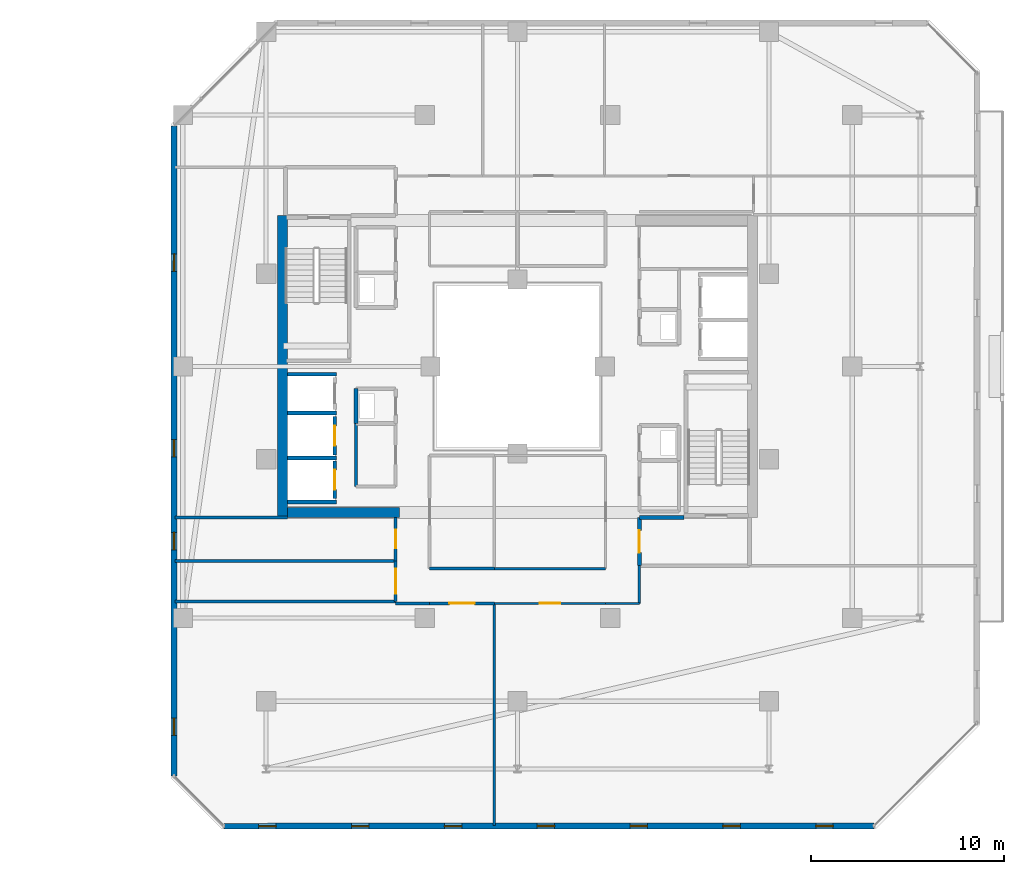
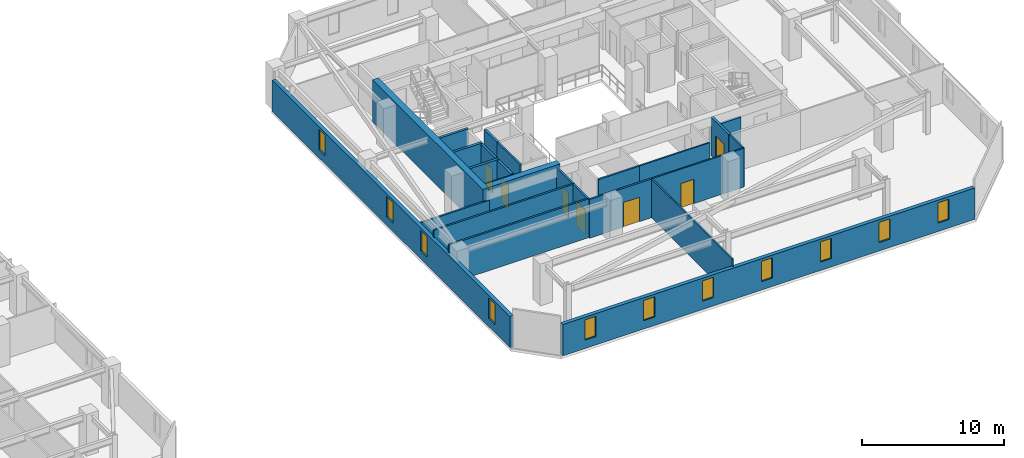
# One storey, part 22 of 32: 27 walls, 11 windows, 7 doors, 18 openings.
"""IFC4 building model written with IfcOpenShell, lengths in metres."""

from ifc_helpers import new_model, si_unit, direction, frame, frame_2d, origin, place, context, subcontext, project, spatial, rectangle, extrude, material, layer, layer_set, type_object, element, fill, save


model = new_model("IFC4")

# Units and contexts
model_context = context("Model", 3, precision=1e-05, world=origin(), true_north=direction((0.0, 1.0)))
body_context = subcontext(model_context, "Body", "Model", "MODEL_VIEW")
ifc_project = project(units=[si_unit("LENGTHUNIT", "METRE"), si_unit("AREAUNIT", "SQUARE_METRE"), si_unit("VOLUMEUNIT", "CUBIC_METRE"), si_unit("PLANEANGLEUNIT", "RADIAN"), si_unit("MASSUNIT", "GRAM", prefix="KILO")], contexts=[model_context])

# Site, building, storey
site_placement = place(None, origin())
site = spatial("IfcSite", under=ifc_project, at=site_placement, CompositionType="ELEMENT")
building_placement = place(site_placement, origin())
building = spatial("IfcBuilding", under=site, at=building_placement, Name="Thornwick Lancets Civic Towers", CompositionType="ELEMENT")
storey_placement = place(building_placement, frame((0.0, 0.0, 240.300048828125)))
storey = spatial("IfcBuildingStorey", under=building, at=storey_placement, Name="L64", CompositionType="ELEMENT", Elevation=240.300048828125)

# Wall, opening, door
ifc_material_1 = material(Name="Concrete blockwork C40/50", Category="masonry")
ifc_layer_1 = layer(ifc_material_1, 0.199951171875, Name="Concrete blockwork C40/50")
ifc_layer_set_1 = layer_set([ifc_layer_1], Name="Concrete blockwork C40/50")
wall_type_1 = type_object("IfcWallType", Name="WALL_COMP_200", PredefinedType="STANDARD", material=ifc_layer_set_1)
wall_1_placement = place(storey_placement, frame((79.050048828125, 22.429931640625, 0.0), z_axis=(0.0, 0.0, 1.0), x_axis=(0.0, 1.0, 0.0)))
wall_1 = element("IfcWall", 1, at=wall_1_placement, inside=storey, type_object=wall_type_1, Name="L64 Hoistway Front Wall PL-BH2", PredefinedType="STANDARD", context=body_context, shape_type="SweptSolid", body=[
    extrude(rectangle(XDim=1.989990234375, YDim=0.199951171875, at=frame_2d((0.9951171875, 0.0))), origin(), (0.0, 0.0, 1.0), 3.33984375),
])
opening_1_placement = place(wall_1_placement, frame((0.485107421875, 0.0, 0.0)))
opening_1 = element("IfcOpeningElement", 2, at=opening_1_placement, cuts=wall_1, Name="Opening LD-PL-BH2", PredefinedType="OPENING", context=body_context, shape_type="SweptSolid", body=[
    extrude(rectangle(XDim=1.02001953125, YDim=2.06005859375, at=frame_2d((0.510009765625, 1.030029296875))), frame((0.0, 0.10986328125, 0.0), z_axis=(0.0, -1.0, 0.0), x_axis=(1.0, 0.0, 0.0)), (0.0, 0.0, 1.0), 0.219970703125),
])
ifc_material_2 = material(Name="Brushed bronze stainless steel", Category="steel")
door_type_1 = type_object("IfcDoorType", Name="DOOR_LIFT_SLIDE", OperationType="SLIDING_TO_LEFT", PredefinedType="DOOR", material=ifc_material_2)
door_1_placement = place(opening_1_placement, origin())
door_1 = element("IfcDoor", 3, at=door_1_placement, inside=storey, type_object=door_type_1, Name="L64 Sliding Lift Landing Door LD-PL-BH2", OperationType="SLIDING_TO_LEFT", OverallHeight=2.06005859375, OverallWidth=1.02001953125, PredefinedType="DOOR", context=body_context, shape_type="SweptSolid", body=[
    extrude(rectangle(XDim=1.02001953125, YDim=2.06005859375, at=frame_2d((0.510009765625, 1.030029296875))), frame((0.0, 0.02490234375, 0.0), z_axis=(0.0, -1.0, 0.0), x_axis=(1.0, 0.0, 0.0)), (0.0, 0.0, 1.0), 0.050048828125),
])
fill(opening_1, door_1)

wall_2_placement = place(storey_placement, frame((79.050048828125, 20.179931640625, 0.0), z_axis=(0.0, 0.0, 1.0), x_axis=(0.0, 1.0, 0.0)))
wall_2 = element("IfcWall", 4, at=wall_2_placement, inside=storey, type_object=wall_type_1, Name="L64 Hoistway Front Wall PL-BH3", PredefinedType="STANDARD", context=body_context, shape_type="SweptSolid", body=[
    extrude(rectangle(XDim=1.940185546875, YDim=0.199951171875, at=frame_2d((0.97021484375, 0.0))), origin(), (0.0, 0.0, 1.0), 3.33984375),
])
opening_2_placement = place(wall_2_placement, frame((0.4599609375, 0.0, 0.0)))
opening_2 = element("IfcOpeningElement", 5, at=opening_2_placement, cuts=wall_2, Name="Opening LD-PL-BH3", PredefinedType="OPENING", context=body_context, shape_type="SweptSolid", body=[
    extrude(rectangle(XDim=1.02001953125, YDim=2.06005859375, at=frame_2d((0.510009765625, 1.030029296875))), frame((0.0, 0.10986328125, 0.0), z_axis=(0.0, -1.0, 0.0), x_axis=(1.0, 0.0, 0.0)), (0.0, 0.0, 1.0), 0.219970703125),
])
door_2_placement = place(opening_2_placement, origin())
door_2 = element("IfcDoor", 6, at=door_2_placement, inside=storey, type_object=door_type_1, Name="L64 Sliding Lift Landing Door LD-PL-BH3", OperationType="SLIDING_TO_LEFT", OverallHeight=2.06005859375, OverallWidth=1.02001953125, PredefinedType="DOOR", context=body_context, shape_type="SweptSolid", body=[
    extrude(rectangle(XDim=1.02001953125, YDim=2.06005859375, at=frame_2d((0.510009765625, 1.030029296875))), frame((0.0, 0.02490234375, 0.0), z_axis=(0.0, -1.0, 0.0), x_axis=(1.0, 0.0, 0.0)), (0.0, 0.0, 1.0), 0.050048828125),
])
fill(opening_2, door_2)

# Walls
for number, where, z_axis, x_axis, name in (
    (7, (76.612060546875, 26.60009765625, 0.0), (0.0, 0.0, 1.0), (1.0, 0.0, 0.0), "L64 Hoistway Shaft Wall FL-B2 N"),
    (8, (76.612060546875, 24.60009765625, 0.0), (0.0, 0.0, 1.0), (1.0, 0.0, 0.0), "L64 Hoistway Shaft Wall FL-B2 S"),
    (9, (76.612060546875, 22.27490234375, 0.0), (0.0, 0.0, 1.0), (1.0, 0.0, 0.0), "L64 Hoistway Shaft Wall PL-BH2 S"),
    (10, (76.612060546875, 20.0, 0.0), (0.0, 0.0, 1.0), (1.0, 0.0, 0.0), "L64 Hoistway Shaft Wall PL-BH3 S"),
):
    element("IfcWall", number, at=place(storey_placement, frame(where, z_axis=z_axis, x_axis=x_axis)), inside=storey, type_object=wall_type_1, Name=name, PredefinedType="STANDARD", context=body_context, shape_type="SweptSolid", body=[
        extrude(rectangle(XDim=2.535888671875, YDim=0.199951171875, at=frame_2d((1.26806640625, 0.0))), origin(), (0.0, 0.0, 1.0), 3.33984375),
    ])
wall_3_placement = place(storey_placement, frame((97.10009765625, 19.199951171875, 0.0), z_axis=(0.0, 0.0, 1.0), x_axis=(-1.0, 0.0, 0.0)))
element("IfcWall", 11, at=wall_3_placement, inside=storey, type_object=wall_type_1, Name="L64 Partition L64-B-FFLOB1 E3", PredefinedType="STANDARD", context=body_context, shape_type="SweptSolid", body=[
    extrude(rectangle(XDim=2.300048828125, YDim=0.199951171875, at=frame_2d((1.14990234375, 0.0))), origin(), (0.0, 0.0, 1.0), 2.544921875),
])

# Wall, opening, door
wall_4_placement = place(storey_placement, frame((94.800048828125, 19.199951171875, 0.0), z_axis=(0.0, 0.0, 1.0), x_axis=(0.0, -1.0, 0.0)))
wall_4 = element("IfcWall", 12, at=wall_4_placement, inside=storey, type_object=wall_type_1, Name="L64 Partition L64-B-FFLOB1 E4", PredefinedType="STANDARD", context=body_context, shape_type="SweptSolid", body=[
    extrude(rectangle(XDim=2.5, YDim=0.199951171875, at=frame_2d((1.25, 0.0))), origin(), (0.0, 0.0, 1.0), 3.33984375),
])
opening_3_placement = place(wall_4_placement, frame((0.675048828125, 0.0, 0.0)))
opening_3 = element("IfcOpeningElement", 13, at=opening_3_placement, cuts=wall_4, Name="Opening D-L64-2884", PredefinedType="OPENING", context=body_context, shape_type="SweptSolid", body=[
    extrude(rectangle(XDim=1.14990234375, YDim=2.10009765625, at=frame_2d((0.574951171875, 1.050048828125))), frame((0.0, 0.10986328125, 0.0), z_axis=(0.0, -1.0, 0.0), x_axis=(1.0, 0.0, 0.0)), (0.0, 0.0, 1.0), 0.219970703125),
])
ifc_material_3 = material(Name="Glazed fire-resisting steel", Category="steel")
door_type_2 = type_object("IfcDoorType", Name="DOOR_LOBBY_FD60", OperationType="NOTDEFINED", PredefinedType="DOOR", material=ifc_material_3)
door_3_placement = place(opening_3_placement, origin())
door_3 = element("IfcDoor", 14, at=door_3_placement, inside=storey, type_object=door_type_2, Name="L64 East Firefighting Lobby 1 Door", OperationType="SINGLE_SWING_LEFT", OverallHeight=2.10009765625, OverallWidth=1.14990234375, PredefinedType="DOOR", context=body_context, shape_type="SweptSolid", body=[
    extrude(rectangle(XDim=1.14990234375, YDim=2.10009765625, at=frame_2d((0.574951171875, 1.050048828125))), frame((0.0, 0.02490234375, 0.0), z_axis=(0.0, -1.0, 0.0), x_axis=(1.0, 0.0, 0.0)), (0.0, 0.0, 1.0), 0.050048828125),
])
fill(opening_3, door_3)

# Walls
wall_5_placement = place(storey_placement, frame((80.14990234375, 25.85009765625, 0.0), z_axis=(0.0, 0.0, 1.0), x_axis=(0.0, -1.0, 0.0)))
element("IfcWall", 15, at=wall_5_placement, inside=storey, type_object=wall_type_1, Name="L64 Partition L64-B-DUCT2 E4", PredefinedType="STANDARD", context=body_context, shape_type="SweptSolid", body=[
    extrude(rectangle(XDim=1.800048828125, YDim=0.199951171875, at=frame_2d((0.89990234375, 0.0))), origin(), (0.0, 0.0, 1.0), 3.33984375),
])
ifc_material_4 = material(Name="Concrete C50/60", Category="concrete")
ifc_layer_2 = layer(ifc_material_4, 0.5, Name="Concrete C50/60")
ifc_layer_set_2 = layer_set([ifc_layer_2], Name="Concrete C50/60")
wall_type_2 = type_object("IfcWallType", Name="WALL_CORE_500", PredefinedType="SHEAR", material=ifc_layer_set_2)
wall_6_placement = place(storey_placement, frame((76.35009765625, 19.199951171875, 0.0), z_axis=(0.0, 0.0, 1.0), x_axis=(0.0, 1.0, 0.0)))
element("IfcWall", 16, at=wall_6_placement, inside=storey, type_object=wall_type_2, Name="L64 Split Core B2 Shear Wall W", PredefinedType="SHEAR", context=body_context, shape_type="SweptSolid", body=[
    extrude(rectangle(XDim=15.60009765625, YDim=0.5, at=frame_2d((7.800048828125, 0.0))), origin(), (0.0, 0.0, 1.0), 3.599853515625),
])
wall_7_placement = place(storey_placement, frame((76.60009765625, 19.449951171875, 0.0), z_axis=(0.0, 0.0, 1.0), x_axis=(1.0, 0.0, 0.0)))
element("IfcWall", 17, at=wall_7_placement, inside=storey, type_object=wall_type_2, Name="L64 Split Core B2 Shear Wall S", PredefinedType="SHEAR", context=body_context, shape_type="SweptSolid", body=[
    extrude(rectangle(XDim=5.7998046875, YDim=0.5, at=frame_2d((2.89990234375, 0.0))), origin(), (0.0, 0.0, 1.0), 3.599853515625),
])

# Wall, openings, windows
ifc_material_5 = material(Name="Insulated russet terracotta rainscreen on concrete C40/50", Category="masonry")
ifc_layer_3 = layer(ifc_material_5, 0.300048828125, Name="Insulated russet terracotta rainscreen on concrete C40/50")
ifc_layer_set_3 = layer_set([ifc_layer_3], Name="Insulated russet terracotta rainscreen on concrete C40/50")
wall_type_3 = type_object("IfcWallType", Name="WALL_EXT_RUSSET_300", PredefinedType="STANDARD", material=ifc_layer_set_3)
wall_8_placement = place(storey_placement, frame((73.318603515625, 3.2353515625, 0.0), z_axis=(0.0, 0.0, 1.0), x_axis=(0.999999963872, 0.000268805477, 0.0)))
wall_8 = element("IfcWall", 18, at=wall_8_placement, inside=storey, type_object=wall_type_3, Name="L64 Tower B Terracotta Facade Wall E0", PredefinedType="STANDARD", context=body_context, shape_type="SweptSolid", body=[
    extrude(rectangle(XDim=33.60498046875, YDim=0.300048828125, at=frame_2d((16.802490234375, 0.0))), origin(), (0.0, 0.0, 1.0), 2.699951171875),
])
opening_4_placement = place(wall_8_placement, frame((1.800048828125, 0.0, 0.719970703125)))
opening_4 = element("IfcOpeningElement", 19, at=opening_4_placement, cuts=wall_8, Name="Opening WL-01", PredefinedType="OPENING", context=body_context, shape_type="SweptSolid", body=[
    extrude(rectangle(XDim=0.89990234375, YDim=1.75, at=frame_2d((0.449951171875, 0.875))), frame((0.0, 0.16015625, 0.0), z_axis=(0.0, -1.0, 0.0), x_axis=(1.0, 0.0, 0.0)), (0.0, 0.0, 1.0), 0.320068359375),
])
opening_5_placement = place(wall_8_placement, frame((6.60009765625, 0.0, 0.719970703125)))
opening_5 = element("IfcOpeningElement", 20, at=opening_5_placement, cuts=wall_8, Name="Opening WL-01", PredefinedType="OPENING", context=body_context, shape_type="SweptSolid", body=[
    extrude(rectangle(XDim=0.89990234375, YDim=1.75, at=frame_2d((0.449951171875, 0.875))), frame((0.0, 0.16015625, 0.0), z_axis=(0.0, -1.0, 0.0), x_axis=(1.0, 0.0, 0.0)), (0.0, 0.0, 1.0), 0.320068359375),
])
opening_6_placement = place(wall_8_placement, frame((11.39990234375, 0.0, 0.719970703125)))
opening_6 = element("IfcOpeningElement", 21, at=opening_6_placement, cuts=wall_8, Name="Opening WL-01", PredefinedType="OPENING", context=body_context, shape_type="SweptSolid", body=[
    extrude(rectangle(XDim=0.89990234375, YDim=1.75, at=frame_2d((0.449951171875, 0.875))), frame((0.0, 0.16015625, 0.0), z_axis=(0.0, -1.0, 0.0), x_axis=(1.0, 0.0, 0.0)), (0.0, 0.0, 1.0), 0.320068359375),
])
opening_7_placement = place(wall_8_placement, frame((16.199951171875, 0.0, 0.719970703125)))
opening_7 = element("IfcOpeningElement", 22, at=opening_7_placement, cuts=wall_8, Name="Opening WL-01", PredefinedType="OPENING", context=body_context, shape_type="SweptSolid", body=[
    extrude(rectangle(XDim=0.89990234375, YDim=1.75, at=frame_2d((0.449951171875, 0.875))), frame((0.0, 0.16015625, 0.0), z_axis=(0.0, -1.0, 0.0), x_axis=(1.0, 0.0, 0.0)), (0.0, 0.0, 1.0), 0.320068359375),
])
opening_8_placement = place(wall_8_placement, frame((21.0, 0.0, 0.719970703125)))
opening_8 = element("IfcOpeningElement", 23, at=opening_8_placement, cuts=wall_8, Name="Opening WL-01", PredefinedType="OPENING", context=body_context, shape_type="SweptSolid", body=[
    extrude(rectangle(XDim=0.89990234375, YDim=1.75, at=frame_2d((0.449951171875, 0.875))), frame((0.0, 0.16015625, 0.0), z_axis=(0.0, -1.0, 0.0), x_axis=(1.0, 0.0, 0.0)), (0.0, 0.0, 1.0), 0.320068359375),
])
opening_9_placement = place(wall_8_placement, frame((25.800048828125, 0.0, 0.719970703125)))
opening_9 = element("IfcOpeningElement", 24, at=opening_9_placement, cuts=wall_8, Name="Opening WL-01", PredefinedType="OPENING", context=body_context, shape_type="SweptSolid", body=[
    extrude(rectangle(XDim=0.89990234375, YDim=1.75, at=frame_2d((0.449951171875, 0.875))), frame((0.0, 0.16015625, 0.0), z_axis=(0.0, -1.0, 0.0), x_axis=(1.0, 0.0, 0.0)), (0.0, 0.0, 1.0), 0.320068359375),
])
opening_10_placement = place(wall_8_placement, frame((30.60009765625, 0.0, 0.719970703125)))
opening_10 = element("IfcOpeningElement", 25, at=opening_10_placement, cuts=wall_8, Name="Opening WL-01", PredefinedType="OPENING", context=body_context, shape_type="SweptSolid", body=[
    extrude(rectangle(XDim=0.89990234375, YDim=1.75, at=frame_2d((0.449951171875, 0.875))), frame((0.0, 0.16015625, 0.0), z_axis=(0.0, -1.0, 0.0), x_axis=(1.0, 0.0, 0.0)), (0.0, 0.0, 1.0), 0.320068359375),
])
ifc_material_6 = material(Name="Clear low-e double glazing in bronze frame", Category="glass")
window_type = type_object("IfcWindowType", Name="WIN_LANCET_900", PartitioningType="SINGLE_PANEL", PredefinedType="WINDOW", material=ifc_material_6)
window_1_placement = place(opening_4_placement, origin())
window_1 = element("IfcWindow", 26, at=window_1_placement, inside=storey, type_object=window_type, Name="L64 Tower B Staggered Lancet Window E0-1", OverallHeight=1.75, OverallWidth=0.89990234375, PartitioningType="SINGLE_PANEL", PredefinedType="WINDOW", context=body_context, shape_type="SweptSolid", body=[
    extrude(rectangle(XDim=0.89990234375, YDim=1.75, at=frame_2d((0.449951171875, 0.875))), frame((0.0, 0.030029296875, 0.0), z_axis=(0.0, -1.0, 0.0), x_axis=(1.0, 0.0, 0.0)), (0.0, 0.0, 1.0), 0.06005859375),
])
fill(opening_4, window_1)
window_2_placement = place(opening_5_placement, origin())
window_2 = element("IfcWindow", 27, at=window_2_placement, inside=storey, type_object=window_type, Name="L64 Tower B Staggered Lancet Window E0-2", OverallHeight=1.75, OverallWidth=0.89990234375, PartitioningType="SINGLE_PANEL", PredefinedType="WINDOW", context=body_context, shape_type="SweptSolid", body=[
    extrude(rectangle(XDim=0.89990234375, YDim=1.75, at=frame_2d((0.449951171875, 0.875))), frame((0.0, 0.030029296875, 0.0), z_axis=(0.0, -1.0, 0.0), x_axis=(1.0, 0.0, 0.0)), (0.0, 0.0, 1.0), 0.06005859375),
])
fill(opening_5, window_2)
window_3_placement = place(opening_6_placement, origin())
window_3 = element("IfcWindow", 28, at=window_3_placement, inside=storey, type_object=window_type, Name="L64 Tower B Staggered Lancet Window E0-3", OverallHeight=1.75, OverallWidth=0.89990234375, PartitioningType="SINGLE_PANEL", PredefinedType="WINDOW", context=body_context, shape_type="SweptSolid", body=[
    extrude(rectangle(XDim=0.89990234375, YDim=1.75, at=frame_2d((0.449951171875, 0.875))), frame((0.0, 0.030029296875, 0.0), z_axis=(0.0, -1.0, 0.0), x_axis=(1.0, 0.0, 0.0)), (0.0, 0.0, 1.0), 0.06005859375),
])
fill(opening_6, window_3)
window_4_placement = place(opening_7_placement, origin())
window_4 = element("IfcWindow", 29, at=window_4_placement, inside=storey, type_object=window_type, Name="L64 Tower B Staggered Lancet Window E0-4", OverallHeight=1.75, OverallWidth=0.89990234375, PartitioningType="SINGLE_PANEL", PredefinedType="WINDOW", context=body_context, shape_type="SweptSolid", body=[
    extrude(rectangle(XDim=0.89990234375, YDim=1.75, at=frame_2d((0.449951171875, 0.875))), frame((0.0, 0.030029296875, 0.0), z_axis=(0.0, -1.0, 0.0), x_axis=(1.0, 0.0, 0.0)), (0.0, 0.0, 1.0), 0.06005859375),
])
fill(opening_7, window_4)
window_5_placement = place(opening_8_placement, origin())
window_5 = element("IfcWindow", 30, at=window_5_placement, inside=storey, type_object=window_type, Name="L64 Tower B Staggered Lancet Window E0-5", OverallHeight=1.75, OverallWidth=0.89990234375, PartitioningType="SINGLE_PANEL", PredefinedType="WINDOW", context=body_context, shape_type="SweptSolid", body=[
    extrude(rectangle(XDim=0.89990234375, YDim=1.75, at=frame_2d((0.449951171875, 0.875))), frame((0.0, 0.030029296875, 0.0), z_axis=(0.0, -1.0, 0.0), x_axis=(1.0, 0.0, 0.0)), (0.0, 0.0, 1.0), 0.06005859375),
])
fill(opening_8, window_5)
window_6_placement = place(opening_9_placement, origin())
window_6 = element("IfcWindow", 31, at=window_6_placement, inside=storey, type_object=window_type, Name="L64 Tower B Staggered Lancet Window E0-6", OverallHeight=1.75, OverallWidth=0.89990234375, PartitioningType="SINGLE_PANEL", PredefinedType="WINDOW", context=body_context, shape_type="SweptSolid", body=[
    extrude(rectangle(XDim=0.89990234375, YDim=1.75, at=frame_2d((0.449951171875, 0.875))), frame((0.0, 0.030029296875, 0.0), z_axis=(0.0, -1.0, 0.0), x_axis=(1.0, 0.0, 0.0)), (0.0, 0.0, 1.0), 0.06005859375),
])
fill(opening_9, window_6)
window_7_placement = place(opening_10_placement, origin())
window_7 = element("IfcWindow", 32, at=window_7_placement, inside=storey, type_object=window_type, Name="L64 Tower B Staggered Lancet Window E0-7", OverallHeight=1.75, OverallWidth=0.89990234375, PartitioningType="SINGLE_PANEL", PredefinedType="WINDOW", context=body_context, shape_type="SweptSolid", body=[
    extrude(rectangle(XDim=0.89990234375, YDim=1.75, at=frame_2d((0.449951171875, 0.875))), frame((0.0, 0.030029296875, 0.0), z_axis=(0.0, -1.0, 0.0), x_axis=(1.0, 0.0, 0.0)), (0.0, 0.0, 1.0), 0.06005859375),
])
fill(opening_10, window_7)

wall_9_placement = place(storey_placement, frame((70.744384765625, 39.423583984375, 0.0), z_axis=(0.0, 0.0, 1.0), x_axis=(-0.000268805477, -0.999999963872, 0.0)))
wall_9 = element("IfcWall", 33, at=wall_9_placement, inside=storey, type_object=wall_type_3, Name="L64 Tower B Terracotta Facade Wall E6", PredefinedType="STANDARD", context=body_context, shape_type="SweptSolid", body=[
    extrude(rectangle(XDim=33.60498046875, YDim=0.300048828125, at=frame_2d((16.802490234375, 0.0))), origin(), (0.0, 0.0, 1.0), 2.699951171875),
])
opening_11_placement = place(wall_9_placement, frame((6.60009765625, 0.0, 0.719970703125)))
opening_11 = element("IfcOpeningElement", 34, at=opening_11_placement, cuts=wall_9, Name="Opening WL-01", PredefinedType="OPENING", context=body_context, shape_type="SweptSolid", body=[
    extrude(rectangle(XDim=0.89990234375, YDim=1.75, at=frame_2d((0.449951171875, 0.875))), frame((0.0, 0.16015625, 0.0), z_axis=(0.0, -1.0, 0.0), x_axis=(1.0, 0.0, 0.0)), (0.0, 0.0, 1.0), 0.320068359375),
])
opening_12_placement = place(wall_9_placement, frame((16.199951171875, 0.0, 0.719970703125)))
opening_12 = element("IfcOpeningElement", 35, at=opening_12_placement, cuts=wall_9, Name="Opening WL-01", PredefinedType="OPENING", context=body_context, shape_type="SweptSolid", body=[
    extrude(rectangle(XDim=0.89990234375, YDim=1.75, at=frame_2d((0.449951171875, 0.875))), frame((0.0, 0.16015625, 0.0), z_axis=(0.0, -1.0, 0.0), x_axis=(1.0, 0.0, 0.0)), (0.0, 0.0, 1.0), 0.320068359375),
])
opening_13_placement = place(wall_9_placement, frame((21.0, 0.0, 0.719970703125)))
opening_13 = element("IfcOpeningElement", 36, at=opening_13_placement, cuts=wall_9, Name="Opening WL-01", PredefinedType="OPENING", context=body_context, shape_type="SweptSolid", body=[
    extrude(rectangle(XDim=0.89990234375, YDim=1.75, at=frame_2d((0.449951171875, 0.875))), frame((0.0, 0.16015625, 0.0), z_axis=(0.0, -1.0, 0.0), x_axis=(1.0, 0.0, 0.0)), (0.0, 0.0, 1.0), 0.320068359375),
])
opening_14_placement = place(wall_9_placement, frame((30.60009765625, 0.0, 0.719970703125)))
opening_14 = element("IfcOpeningElement", 37, at=opening_14_placement, cuts=wall_9, Name="Opening WL-01", PredefinedType="OPENING", context=body_context, shape_type="SweptSolid", body=[
    extrude(rectangle(XDim=0.89990234375, YDim=1.75, at=frame_2d((0.449951171875, 0.875))), frame((0.0, 0.16015625, 0.0), z_axis=(0.0, -1.0, 0.0), x_axis=(1.0, 0.0, 0.0)), (0.0, 0.0, 1.0), 0.320068359375),
])
window_8_placement = place(opening_11_placement, origin())
window_8 = element("IfcWindow", 38, at=window_8_placement, inside=storey, type_object=window_type, Name="L64 Tower B Staggered Lancet Window E6-1", OverallHeight=1.75, OverallWidth=0.89990234375, PartitioningType="SINGLE_PANEL", PredefinedType="WINDOW", context=body_context, shape_type="SweptSolid", body=[
    extrude(rectangle(XDim=0.89990234375, YDim=1.75, at=frame_2d((0.449951171875, 0.875))), frame((0.0, 0.030029296875, 0.0), z_axis=(0.0, -1.0, 0.0), x_axis=(1.0, 0.0, 0.0)), (0.0, 0.0, 1.0), 0.06005859375),
])
fill(opening_11, window_8)
window_9_placement = place(opening_12_placement, origin())
window_9 = element("IfcWindow", 39, at=window_9_placement, inside=storey, type_object=window_type, Name="L64 Tower B Staggered Lancet Window E6-2", OverallHeight=1.75, OverallWidth=0.89990234375, PartitioningType="SINGLE_PANEL", PredefinedType="WINDOW", context=body_context, shape_type="SweptSolid", body=[
    extrude(rectangle(XDim=0.89990234375, YDim=1.75, at=frame_2d((0.449951171875, 0.875))), frame((0.0, 0.030029296875, 0.0), z_axis=(0.0, -1.0, 0.0), x_axis=(1.0, 0.0, 0.0)), (0.0, 0.0, 1.0), 0.06005859375),
])
fill(opening_12, window_9)
window_10_placement = place(opening_13_placement, origin())
window_10 = element("IfcWindow", 40, at=window_10_placement, inside=storey, type_object=window_type, Name="L64 Tower B Staggered Lancet Window E6-3", OverallHeight=1.75, OverallWidth=0.89990234375, PartitioningType="SINGLE_PANEL", PredefinedType="WINDOW", context=body_context, shape_type="SweptSolid", body=[
    extrude(rectangle(XDim=0.89990234375, YDim=1.75, at=frame_2d((0.449951171875, 0.875))), frame((0.0, 0.030029296875, 0.0), z_axis=(0.0, -1.0, 0.0), x_axis=(1.0, 0.0, 0.0)), (0.0, 0.0, 1.0), 0.06005859375),
])
fill(opening_13, window_10)
window_11_placement = place(opening_14_placement, origin())
window_11 = element("IfcWindow", 41, at=window_11_placement, inside=storey, type_object=window_type, Name="L64 Tower B Staggered Lancet Window E6-4", OverallHeight=1.75, OverallWidth=0.89990234375, PartitioningType="SINGLE_PANEL", PredefinedType="WINDOW", context=body_context, shape_type="SweptSolid", body=[
    extrude(rectangle(XDim=0.89990234375, YDim=1.75, at=frame_2d((0.449951171875, 0.875))), frame((0.0, 0.030029296875, 0.0), z_axis=(0.0, -1.0, 0.0), x_axis=(1.0, 0.0, 0.0)), (0.0, 0.0, 1.0), 0.06005859375),
])
fill(opening_14, window_11)

# Wall
ifc_material_7 = material(Name="Acoustic gypsum board partition")
ifc_layer_4 = layer(ifc_material_7, 0.1201171875, Name="Acoustic gypsum board partition")
ifc_layer_set_4 = layer_set([ifc_layer_4], Name="Acoustic gypsum board partition")
wall_type_4 = type_object("IfcWallType", Name="WALL_PART_120", PredefinedType="PARTITIONING", material=ifc_layer_set_4)
wall_10_placement = place(storey_placement, frame((87.300048828125, 3.280029296875, 0.0), z_axis=(0.0, 0.0, 1.0), x_axis=(0.0, 1.0, 0.0)))
element("IfcWall", 42, at=wall_10_placement, inside=storey, type_object=wall_type_4, Name="L64 Partition L64-B-W1 E2", PredefinedType="PARTITIONING", context=body_context, shape_type="SweptSolid", body=[
    extrude(rectangle(XDim=11.469970703125, YDim=0.1201171875, at=frame_2d((5.73486328125, 0.0))), origin(), (0.0, 0.0, 1.0), 3.33984375),
])

# Wall, opening, door
wall_11_placement = place(storey_placement, frame((87.300048828125, 14.75, 0.0), z_axis=(0.0, 0.0, 1.0), x_axis=(1.0, 0.0, 0.0)))
wall_11 = element("IfcWall", 43, at=wall_11_placement, inside=storey, type_object=wall_type_4, Name="L64 Partition L64-B-W1 E3", PredefinedType="PARTITIONING", context=body_context, shape_type="SweptSolid", body=[
    extrude(rectangle(XDim=5.75, YDim=0.1201171875, at=frame_2d((2.875, 0.0))), origin(), (0.0, 0.0, 1.0), 3.33984375),
])
opening_15_placement = place(wall_11_placement, frame((2.35009765625, 0.0, 0.0)))
opening_15 = element("IfcOpeningElement", 44, at=opening_15_placement, cuts=wall_11, Name="Opening D-L64-2910", PredefinedType="OPENING", context=body_context, shape_type="SweptSolid", body=[
    extrude(rectangle(XDim=1.050048828125, YDim=2.10009765625, at=frame_2d((0.52490234375, 1.050048828125))), frame((0.0, 0.070068359375, 0.0), z_axis=(0.0, -1.0, 0.0), x_axis=(1.0, 0.0, 0.0)), (0.0, 0.0, 1.0), 0.14013671875),
])
ifc_material_8 = material(Name="Glazed European oak executive doorset")
door_type_3 = type_object("IfcDoorType", Name="DOOR_OFFICE_1050", OperationType="NOTDEFINED", PredefinedType="DOOR", material=ifc_material_8)
door_4_placement = place(opening_15_placement, origin())
door_4 = element("IfcDoor", 45, at=door_4_placement, inside=storey, type_object=door_type_3, Name="L64 Tower B Ministry Directorate Office W1 Door", OperationType="SINGLE_SWING_LEFT", OverallHeight=2.10009765625, OverallWidth=1.050048828125, PredefinedType="DOOR", context=body_context, shape_type="SweptSolid", body=[
    extrude(rectangle(XDim=1.050048828125, YDim=2.10009765625, at=frame_2d((0.52490234375, 1.050048828125))), frame((0.0, 0.02490234375, 0.0), z_axis=(0.0, -1.0, 0.0), x_axis=(1.0, 0.0, 0.0)), (0.0, 0.0, 1.0), 0.050048828125),
])
fill(opening_15, door_4)

# Walls
wall_12_placement = place(storey_placement, frame((93.050048828125, 14.75, 0.0), z_axis=(0.0, 0.0, 1.0), x_axis=(1.0, 0.0, 0.0)))
element("IfcWall", 46, at=wall_12_placement, inside=storey, type_object=wall_type_4, Name="L64 Partition L64-B-W1 E4", PredefinedType="PARTITIONING", context=body_context, shape_type="SweptSolid", body=[
    extrude(rectangle(XDim=1.75, YDim=0.1201171875, at=frame_2d((0.875, 0.0))), origin(), (0.0, 0.0, 1.0), 3.33984375),
])
wall_13_placement = place(storey_placement, frame((94.800048828125, 14.75, 0.0), z_axis=(0.0, 0.0, 1.0), x_axis=(0.0, 1.0, 0.0)))
element("IfcWall", 47, at=wall_13_placement, inside=storey, type_object=wall_type_4, Name="L64 Partition L64-B-W1 E5", PredefinedType="PARTITIONING", context=body_context, shape_type="SweptSolid", body=[
    extrude(rectangle(XDim=1.949951171875, YDim=0.1201171875, at=frame_2d((0.97509765625, 0.0))), origin(), (0.0, 0.0, 1.0), 3.33984375),
])
wall_14_placement = place(storey_placement, frame((93.050048828125, 16.550048828125, 0.0), z_axis=(0.0, 0.0, 1.0), x_axis=(-1.0, 0.0, 0.0)))
element("IfcWall", 48, at=wall_14_placement, inside=storey, type_object=wall_type_4, Name="L64 Partition L64-B-W3 E4", PredefinedType="PARTITIONING", context=body_context, shape_type="SweptSolid", body=[
    extrude(rectangle(XDim=5.75, YDim=0.1201171875, at=frame_2d((2.875, 0.0))), origin(), (0.0, 0.0, 1.0), 3.33984375),
])
ifc_material_9 = material(Name="Twin-stud acoustic gypsum board")
ifc_layer_5 = layer(ifc_material_9, 0.14990234375, Name="Twin-stud acoustic gypsum board")
ifc_layer_set_5 = layer_set([ifc_layer_5], Name="Twin-stud acoustic gypsum board")
wall_type_5 = type_object("IfcWallType", Name="WALL_PART_150", PredefinedType="PARTITIONING", material=ifc_layer_set_5)
wall_15_placement = place(storey_placement, frame((80.14990234375, 20.800048828125, 0.0), z_axis=(0.0, 0.0, 1.0), x_axis=(0.0, 1.0, 0.0)))
element("IfcWall", 49, at=wall_15_placement, inside=storey, type_object=wall_type_5, Name="L64 Partition L64-B-FWC E2", PredefinedType="PARTITIONING", context=body_context, shape_type="SweptSolid", body=[
    extrude(rectangle(XDim=3.25, YDim=0.14990234375, at=frame_2d((1.625, 0.0))), origin(), (0.0, 0.0, 1.0), 3.33984375),
])
for number, where, z_axis, x_axis, name in (
    (50, (82.199951171875, 14.85009765625, 0.0), (0.0, 0.0, 1.0), (-1.0, 0.0, 0.0), "L64 Partition L64-B-RECLAIM-M1 E1"),
    (51, (70.780029296875, 16.949951171875, 0.0), (0.0, 0.0, 1.0), (1.0, 0.0, 0.0), "L64 Partition L64-B-RECLAIM-M1 E3"),
):
    element("IfcWall", number, at=place(storey_placement, frame(where, z_axis=z_axis, x_axis=x_axis)), inside=storey, type_object=wall_type_5, Name=name, PredefinedType="PARTITIONING", context=body_context, shape_type="SweptSolid", body=[
        extrude(rectangle(XDim=11.419921875, YDim=0.14990234375, at=frame_2d((5.7099609375, 0.0))), origin(), (0.0, 0.0, 1.0), 3.33984375),
    ])

# Wall, opening, door
wall_16_placement = place(storey_placement, frame((82.199951171875, 16.949951171875, 0.0), z_axis=(0.0, 0.0, 1.0), x_axis=(0.0, -1.0, 0.0)))
wall_16 = element("IfcWall", 52, at=wall_16_placement, inside=storey, type_object=wall_type_5, Name="L64 Partition L64-B-RECLAIM-M1 E4", PredefinedType="PARTITIONING", context=body_context, shape_type="SweptSolid", body=[
    extrude(rectangle(XDim=2.099853515625, YDim=0.14990234375, at=frame_2d((1.0498046875, 0.0))), origin(), (0.0, 0.0, 1.0), 3.33984375),
])
opening_16_placement = place(wall_16_placement, frame((0.39990234375, 0.0, 0.0)))
opening_16 = element("IfcOpeningElement", 53, at=opening_16_placement, cuts=wall_16, Name="Opening D-L64-2908", PredefinedType="OPENING", context=body_context, shape_type="SweptSolid", body=[
    extrude(rectangle(XDim=1.300048828125, YDim=2.1201171875, at=frame_2d((0.64990234375, 1.06005859375))), frame((0.0, 0.0849609375, 0.0), z_axis=(0.0, -1.0, 0.0), x_axis=(1.0, 0.0, 0.0)), (0.0, 0.0, 1.0), 0.169921875),
])
ifc_material_10 = material(Name="Acoustic oak leaf-and-a-half doorset")
door_type_4 = type_object("IfcDoorType", Name="DOOR_MEET_1300", OperationType="DOUBLE_DOOR_SINGLE_SWING", PredefinedType="DOOR", material=ifc_material_10)
door_5_placement = place(opening_16_placement, origin())
door_5 = element("IfcDoor", 54, at=door_5_placement, inside=storey, type_object=door_type_4, Name="L64 Tower B Diplomatic Conference Room Door", OperationType="DOUBLE_DOOR_SINGLE_SWING", OverallHeight=2.1201171875, OverallWidth=1.300048828125, PredefinedType="DOOR", context=body_context, shape_type="SweptSolid", body=[
    extrude(rectangle(XDim=1.300048828125, YDim=2.1201171875, at=frame_2d((0.64990234375, 1.06005859375))), frame((0.0, 0.02490234375, 0.0), z_axis=(0.0, -1.0, 0.0), x_axis=(1.0, 0.0, 0.0)), (0.0, 0.0, 1.0), 0.050048828125),
])
fill(opening_16, door_5)

# Wall
wall_17_placement = place(storey_placement, frame((70.780029296875, 19.199951171875, 0.0), z_axis=(0.0, 0.0, 1.0), x_axis=(1.0, 0.0, 0.0)))
element("IfcWall", 55, at=wall_17_placement, inside=storey, type_object=wall_type_5, Name="L64 Partition L64-B-RECLAIM-M2 E3", PredefinedType="PARTITIONING", context=body_context, shape_type="SweptSolid", body=[
    extrude(rectangle(XDim=5.820068359375, YDim=0.14990234375, at=frame_2d((2.91015625, 0.0))), origin(), (0.0, 0.0, 1.0), 2.544921875),
])

# Wall, opening, door
wall_18_placement = place(storey_placement, frame((82.199951171875, 19.199951171875, 0.0), z_axis=(0.0, 0.0, 1.0), x_axis=(0.0, -1.0, 0.0)))
wall_18 = element("IfcWall", 56, at=wall_18_placement, inside=storey, type_object=wall_type_5, Name="L64 Partition L64-B-RECLAIM-M2 E4", PredefinedType="PARTITIONING", context=body_context, shape_type="SweptSolid", body=[
    extrude(rectangle(XDim=2.25, YDim=0.14990234375, at=frame_2d((1.125, 0.0))), origin(), (0.0, 0.0, 1.0), 3.33984375),
])
opening_17_placement = place(wall_18_placement, frame((0.64990234375, 0.0, 0.0)))
opening_17 = element("IfcOpeningElement", 57, at=opening_17_placement, cuts=wall_18, Name="Opening D-L64-2909", PredefinedType="OPENING", context=body_context, shape_type="SweptSolid", body=[
    extrude(rectangle(XDim=0.949951171875, YDim=2.10009765625, at=frame_2d((0.47509765625, 1.050048828125))), frame((0.0, 0.0849609375, 0.0), z_axis=(0.0, -1.0, 0.0), x_axis=(1.0, 0.0, 0.0)), (0.0, 0.0, 1.0), 0.169921875),
])
ifc_material_11 = material(Name="European oak acoustic doorset")
door_type_5 = type_object("IfcDoorType", Name="DOOR_OFFICE_950", OperationType="NOTDEFINED", PredefinedType="DOOR", material=ifc_material_11)
door_6_placement = place(opening_17_placement, origin())
door_6 = element("IfcDoor", 58, at=door_6_placement, inside=storey, type_object=door_type_5, Name="L64 Tower B Executive Records Archive Door", OperationType="SINGLE_SWING_RIGHT", OverallHeight=2.10009765625, OverallWidth=0.949951171875, PredefinedType="DOOR", context=body_context, shape_type="SweptSolid", body=[
    extrude(rectangle(XDim=0.949951171875, YDim=2.10009765625, at=frame_2d((0.47509765625, 1.050048828125))), frame((0.0, 0.02490234375, 0.0), z_axis=(0.0, -1.0, 0.0), x_axis=(1.0, 0.0, 0.0)), (0.0, 0.0, 1.0), 0.050048828125),
])
fill(opening_17, door_6)

# Wall
wall_19_placement = place(storey_placement, frame((82.199951171875, 14.75, 0.0), z_axis=(0.0, 0.0, 1.0), x_axis=(1.0, 0.0, 0.0)))
element("IfcWall", 59, at=wall_19_placement, inside=storey, type_object=wall_type_5, Name="L64 Partition L64-B-W2 E5", PredefinedType="PARTITIONING", context=body_context, shape_type="SweptSolid", body=[
    extrude(rectangle(XDim=1.75, YDim=0.14990234375, at=frame_2d((0.875, 0.0))), origin(), (0.0, 0.0, 1.0), 3.33984375),
])

# Wall, opening, door
wall_20_placement = place(storey_placement, frame((83.949951171875, 14.75, 0.0), z_axis=(0.0, 0.0, 1.0), x_axis=(1.0, 0.0, 0.0)))
wall_20 = element("IfcWall", 60, at=wall_20_placement, inside=storey, type_object=wall_type_5, Name="L64 Partition L64-B-W2 E6", PredefinedType="PARTITIONING", context=body_context, shape_type="SweptSolid", body=[
    extrude(rectangle(XDim=3.35009765625, YDim=0.14990234375, at=frame_2d((1.675048828125, 0.0))), origin(), (0.0, 0.0, 1.0), 3.33984375),
])
opening_18_placement = place(wall_20_placement, frame((1.02490234375, 0.0, 0.0)))
opening_18 = element("IfcOpeningElement", 61, at=opening_18_placement, cuts=wall_20, Name="Opening D-L64-2911", PredefinedType="OPENING", context=body_context, shape_type="SweptSolid", body=[
    extrude(rectangle(XDim=1.300048828125, YDim=2.1201171875, at=frame_2d((0.64990234375, 1.06005859375))), frame((0.0, 0.0849609375, 0.0), z_axis=(0.0, -1.0, 0.0), x_axis=(1.0, 0.0, 0.0)), (0.0, 0.0, 1.0), 0.169921875),
])
door_7_placement = place(opening_18_placement, origin())
door_7 = element("IfcDoor", 62, at=door_7_placement, inside=storey, type_object=door_type_4, Name="L64 Tower B Policy Briefing Room W2 Door", OperationType="DOUBLE_DOOR_SINGLE_SWING", OverallHeight=2.1201171875, OverallWidth=1.300048828125, PredefinedType="DOOR", context=body_context, shape_type="SweptSolid", body=[
    extrude(rectangle(XDim=1.300048828125, YDim=2.1201171875, at=frame_2d((0.64990234375, 1.06005859375))), frame((0.0, 0.02490234375, 0.0), z_axis=(0.0, -1.0, 0.0), x_axis=(1.0, 0.0, 0.0)), (0.0, 0.0, 1.0), 0.050048828125),
])
fill(opening_18, door_7)

# Wall
wall_21_placement = place(storey_placement, frame((87.300048828125, 16.550048828125, 0.0), z_axis=(0.0, 0.0, 1.0), x_axis=(-1.0, 0.0, 0.0)))
element("IfcWall", 63, at=wall_21_placement, inside=storey, type_object=wall_type_5, Name="L64 Partition L64-B-W4 E4", PredefinedType="PARTITIONING", context=body_context, shape_type="SweptSolid", body=[
    extrude(rectangle(XDim=3.35009765625, YDim=0.14990234375, at=frame_2d((1.675048828125, 0.0))), origin(), (0.0, 0.0, 1.0), 3.33984375),
])

save(model, "model.ifc")
